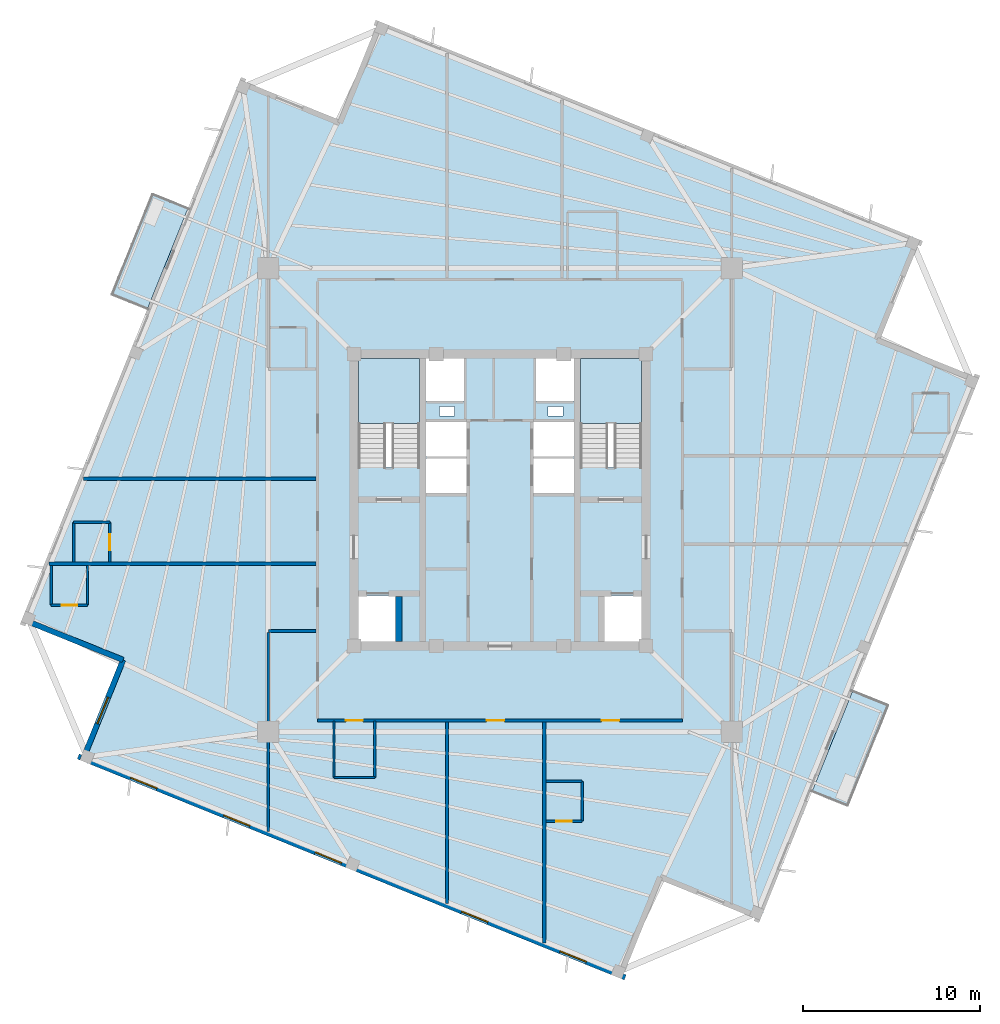
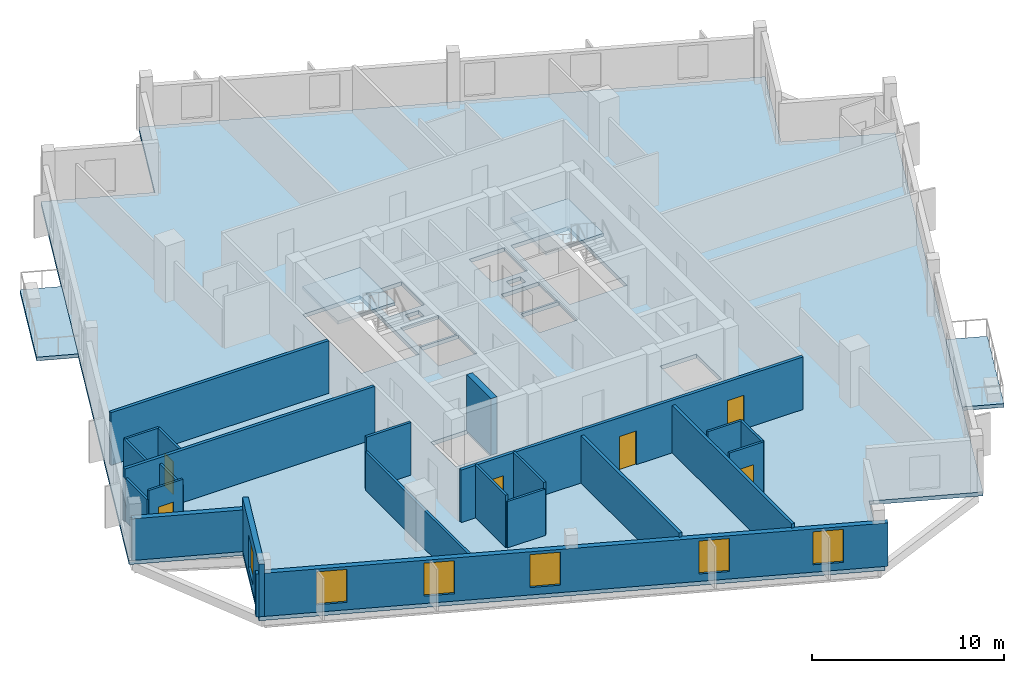
# One storey, part 2 of 8: 23 walls, 6 doors, 6 windows, 5 slabs, 12 openings, 2 elements without a shape of their own.
"""IFC4 building model written with IfcOpenShell, lengths in metres."""

from ifc_helpers import new_model, si_unit, direction, frame, frame_2d, origin, place, context, subcontext, project, spatial, polyline, rectangle, outline, extrude, source, transform, mapped, material, layer, layer_set, type_object, element, fill, aggregate, save


model = new_model("IFC4")

# Units and contexts
model_context = context("Model", 3, precision=1e-05, world=origin(), true_north=direction((0.0, 1.0)))
body_context = subcontext(model_context, "Body", "Model", "MODEL_VIEW")
ifc_project = project(units=[si_unit("LENGTHUNIT", "METRE"), si_unit("AREAUNIT", "SQUARE_METRE"), si_unit("VOLUMEUNIT", "CUBIC_METRE"), si_unit("PLANEANGLEUNIT", "RADIAN"), si_unit("MASSUNIT", "GRAM", prefix="KILO"), si_unit("THERMODYNAMICTEMPERATUREUNIT", "KELVIN")], contexts=[model_context])

# Site, building, storey
site_placement = place(None, origin())
site = spatial("IfcSite", under=ifc_project, at=site_placement, CompositionType="ELEMENT")
building_placement = place(site_placement, origin())
building = spatial("IfcBuilding", under=site, at=building_placement, Name="Kosmvard Interchange Tower", CompositionType="ELEMENT")
storey_placement = place(building_placement, frame((0.0, 0.0, 304.800048828125)))
storey = spatial("IfcBuildingStorey", under=building, at=storey_placement, Name="L75", CompositionType="ELEMENT", Elevation=304.800048828125)

# Slab
ifc_material_1 = material(Name="Concrete C50/60", Category="concrete")
ifc_layer_1 = layer(ifc_material_1, 0.25, Name="Concrete C50/60")
ifc_layer_set_1 = layer_set([ifc_layer_1], Name="Concrete C50/60")
slab_type_1 = type_object("IfcSlabType", Name="Hotel Acoustic Floor Slab 250 C50/60", PredefinedType="FLOOR", material=ifc_layer_set_1)
slab_1_placement = place(storey_placement, frame((0.0, 0.0, -0.25)))
element("IfcSlab", 1, at=slab_1_placement, inside=storey, type_object=slab_type_1, Name="L75 Structural Floor Slab", PredefinedType="FLOOR", context=body_context, shape_type="SweptSolid", body=[
    extrude(outline(polyline([(14.6806640625, -23.727294921875), (27.042724609375, 6.869873046875), (21.4794921875, 9.117431640625), (23.727294921875, 14.6806640625), (-6.869873046875, 27.042724609375), (-9.117431640625, 21.4794921875), (-14.6806640625, 23.727294921875), (-27.042724609375, -6.869873046875), (-21.4794921875, -9.117431640625), (-23.727294921875, -14.6806640625), (6.869873046875, -27.042724609375), (9.117431640625, -21.4794921875), (14.6806640625, -23.727294921875)]), holes=[polyline([(-8.0, 1.8349609375), (-4.5400390625, 1.8349609375), (-4.5400390625, 8.0), (-8.0, 8.0), (-8.0, 1.8349609375)]), polyline([(4.5400390625, 1.8349609375), (8.0, 1.8349609375), (8.0, 8.0), (4.5400390625, 8.0), (4.5400390625, 1.8349609375)]), polyline([(-8.0, -8.0), (-5.800048828125, -8.0), (-5.800048828125, -5.39990234375), (-8.0, -5.39990234375), (-8.0, -8.0)]), polyline([(5.800048828125, -8.0), (8.0, -8.0), (8.0, -5.39990234375), (5.800048828125, -5.39990234375), (5.800048828125, -8.0)]), polyline([(-4.179931640625, 0.39990234375), (-1.8798828125, 0.39990234375), (-1.8798828125, 2.340087890625), (-4.179931640625, 2.340087890625), (-4.179931640625, 0.39990234375)]), polyline([(-4.179931640625, 2.4599609375), (-1.8798828125, 2.4599609375), (-1.8798828125, 4.39990234375), (-4.179931640625, 4.39990234375), (-4.179931640625, 2.4599609375)]), polyline([(1.8798828125, 0.39990234375), (4.179931640625, 0.39990234375), (4.179931640625, 2.340087890625), (1.8798828125, 2.340087890625), (1.8798828125, 0.39990234375)]), polyline([(1.8798828125, 2.4599609375), (4.179931640625, 2.4599609375), (4.179931640625, 4.39990234375), (1.8798828125, 4.39990234375), (1.8798828125, 2.4599609375)]), polyline([(-4.179931640625, 5.60009765625), (-2.0400390625, 5.60009765625), (-2.0400390625, 8.0), (-4.179931640625, 8.0), (-4.179931640625, 5.60009765625)]), polyline([(2.0400390625, 5.60009765625), (4.179931640625, 5.60009765625), (4.179931640625, 8.0), (2.0400390625, 8.0), (2.0400390625, 5.60009765625)]), polyline([(-3.4150390625, 4.739990234375), (-2.56494140625, 4.739990234375), (-2.56494140625, 5.2900390625), (-3.4150390625, 5.2900390625), (-3.4150390625, 4.739990234375)]), polyline([(2.715087890625, 4.739990234375), (3.56494140625, 4.739990234375), (3.56494140625, 5.2900390625), (2.715087890625, 5.2900390625), (2.715087890625, 4.739990234375)])]), origin(), (0.0, 0.0, 1.0), 0.25),
])

# Stair, slab
stair_type = type_object("IfcStairType", Name="Dog-Leg Core Exit Stair H3600 C50/60", PredefinedType="HALF_TURN_STAIR", material=ifc_material_1)
stair_1_placement = place(storey_placement, origin())
stair_1 = element("IfcStair", 2, at=stair_1_placement, inside=storey, type_object=stair_type, Name="L75 Protected Exit Stair ST-1", PredefinedType="HALF_TURN_STAIR")
ifc_layer_2 = layer(ifc_material_1, 0.199951171875, Name="Concrete C50/60")
ifc_layer_set_2 = layer_set([ifc_layer_2], Name="Concrete C50/60")
slab_type_2 = type_object("IfcSlabType", Name="Stair Half-Landing Slab 200 C50/60", PredefinedType="LANDING", material=ifc_layer_set_2)
slab_2_placement = place(storey_placement, frame((0.0, 0.0, 1.599853515625)))
slab_2 = element("IfcSlab", 3, at=slab_2_placement, type_object=slab_type_2, Name="ST-1 landing 1", PredefinedType="LANDING", context=body_context, shape_type="SweptSolid", body=[
    extrude(outline(polyline([(-4.5400390625, 4.320068359375), (-4.5400390625, 8.0), (-8.0, 8.0), (-8.0, 4.320068359375), (-4.5400390625, 4.320068359375)])), origin(), (0.0, 0.0, 1.0), 0.2001953125),
])
aggregate(stair_1, [slab_2])

stair_2_placement = place(storey_placement, origin())
stair_2 = element("IfcStair", 4, at=stair_2_placement, inside=storey, type_object=stair_type, Name="L75 Protected Exit Stair ST-2", PredefinedType="HALF_TURN_STAIR")
slab_3_placement = place(storey_placement, frame((0.0, 0.0, 1.599853515625)))
slab_3 = element("IfcSlab", 5, at=slab_3_placement, type_object=slab_type_2, Name="ST-2 landing 1", PredefinedType="LANDING", context=body_context, shape_type="SweptSolid", body=[
    extrude(outline(polyline([(8.0, 4.320068359375), (8.0, 8.0), (4.5400390625, 8.0), (4.5400390625, 4.320068359375), (8.0, 4.320068359375)])), origin(), (0.0, 0.0, 1.0), 0.2001953125),
])
aggregate(stair_2, [slab_3])

# Slabs
ifc_layer_3 = layer(ifc_material_1, 0.22998046875, Name="Concrete C50/60")
ifc_layer_set_3 = layer_set([ifc_layer_3], Name="Concrete C50/60")
slab_type_3 = type_object("IfcSlabType", Name="Tree-Planter Cantilever Balcony Slab 230 C50/60", PredefinedType="FLOOR", material=ifc_layer_set_3)
slab_4_placement = place(storey_placement, frame((0.0, 0.0, -0.22998046875)))
element("IfcSlab", 6, at=slab_4_placement, inside=storey, type_object=slab_type_3, Name="L75 Outdoor Terrace Balcony Slab BAL-L75-N", PredefinedType="FLOOR", context=body_context, shape_type="SweptSolid", body=[
    extrude(outline(polyline([(-19.925048828125, 10.74658203125), (-17.6025390625, 16.4951171875), (-19.642333984375, 17.3193359375), (-21.96484375, 11.57080078125), (-19.925048828125, 10.74658203125)])), origin(), (0.0, 0.0, 1.0), 0.22998046875),
])
slab_5_placement = place(storey_placement, frame((0.0, 0.0, -0.22998046875)))
element("IfcSlab", 7, at=slab_5_placement, inside=storey, type_object=slab_type_3, Name="L75 Outdoor Terrace Balcony Slab BAL-L75-S", PredefinedType="FLOOR", context=body_context, shape_type="SweptSolid", body=[
    extrude(outline(polyline([(19.642333984375, -17.3193359375), (21.96484375, -11.57080078125), (19.925048828125, -10.74658203125), (17.6025390625, -16.4951171875), (19.642333984375, -17.3193359375)])), origin(), (0.0, 0.0, 1.0), 0.22998046875),
])

# Walls
ifc_material_2 = material(Name="Acoustic gypsum partition system")
ifc_layer_4 = layer(ifc_material_2, 0.14990234375, Name="Acoustic gypsum partition system")
ifc_layer_set_4 = layer_set([ifc_layer_4], Name="Acoustic gypsum partition system")
wall_type_1 = type_object("IfcWallType", Name="Acoustic Suite & Meeting Partition 150", PredefinedType="PARTITIONING", material=ifc_layer_set_4)
wall_1_placement = place(storey_placement, frame((-10.39501953125, -7.39990234375, 0.0), z_axis=(0.0, 0.0, 1.0), x_axis=(-1.0, 0.0, 0.0)))
element("IfcWall", 8, at=wall_1_placement, inside=storey, type_object=wall_type_1, Name="L75 Room Partition 15.1", PredefinedType="PARTITIONING", context=body_context, shape_type="SweptSolid", body=[
    extrude(rectangle(XDim=2.68603515625, YDim=0.14990234375, at=frame_2d((1.343017578125, 0.0))), origin(), (0.0, 0.0, 1.0), 3.349853515625),
])
wall_2_placement = place(storey_placement, frame((-13.0810546875, -7.47509765625, 0.0), z_axis=(0.0, 0.0, 1.0), x_axis=(0.0, -1.0, 0.0)))
element("IfcWall", 9, at=wall_2_placement, inside=storey, type_object=wall_type_1, Name="L75 Room Partition 16.1", PredefinedType="PARTITIONING", context=body_context, shape_type="SweptSolid", body=[
    extrude(rectangle(XDim=11.24267578125, YDim=0.14990234375, at=frame_2d((5.621337890625, 0.0))), origin(), (0.0, 0.0, 1.0), 2.449951171875),
])

# Wall, openings, doors
ifc_material_3 = material(Name="Fire-rated gypsum partition system")
ifc_layer_5 = layer(ifc_material_3, 0.179931640625, Name="Fire-rated gypsum partition system")
ifc_layer_set_5 = layer_set([ifc_layer_5], Name="Fire-rated gypsum partition system")
wall_type_2 = type_object("IfcWallType", Name="Corridor & Hotel Compartment Partition 180", PredefinedType="PARTITIONING", material=ifc_layer_set_5)
wall_3_placement = place(storey_placement, frame((-10.300048828125, -12.449951171875, 0.0), z_axis=(0.0, 0.0, 1.0), x_axis=(1.0, 0.0, 0.0)))
wall_3 = element("IfcWall", 10, at=wall_3_placement, inside=storey, type_object=wall_type_2, Name="L75 Corridor Wall CS", PredefinedType="PARTITIONING", context=body_context, shape_type="SweptSolid", body=[
    extrude(rectangle(XDim=20.60009765625, YDim=0.179931640625, at=frame_2d((10.300048828125, 0.0))), origin(), (0.0, 0.0, 1.0), 3.349853515625),
])
opening_1_placement = place(wall_3_placement, frame((1.60498046875, 0.0, 0.0)))
opening_1 = element("IfcOpeningElement", 11, at=opening_1_placement, cuts=wall_3, Name="Opening L75-D01", PredefinedType="OPENING", context=body_context, shape_type="SweptSolid", body=[
    extrude(rectangle(XDim=0.949951171875, YDim=2.10009765625, at=frame_2d((0.47509765625, 1.050048828125))), frame((0.0, 0.10009765625, 0.0), z_axis=(0.0, -1.0, 0.0), x_axis=(1.0, 0.0, 0.0)), (0.0, 0.0, 1.0), 0.199951171875),
])
opening_2_placement = place(wall_3_placement, frame((16.03564453125, 0.0, 0.0)))
opening_2 = element("IfcOpeningElement", 12, at=opening_2_placement, cuts=wall_3, Name="Opening L75-D12", PredefinedType="OPENING", context=body_context, shape_type="SweptSolid", body=[
    extrude(rectangle(XDim=1.0, YDim=2.14990234375, at=frame_2d((0.5, 1.074951171875))), frame((0.0, 0.10009765625, 0.0), z_axis=(0.0, -1.0, 0.0), x_axis=(1.0, 0.0, 0.0)), (0.0, 0.0, 1.0), 0.199951171875),
])
opening_3_placement = place(wall_3_placement, frame((9.550048828125, 0.0, 0.0)))
opening_3 = element("IfcOpeningElement", 13, at=opening_3_placement, cuts=wall_3, Name="Opening L75-D14", PredefinedType="OPENING", context=body_context, shape_type="SweptSolid", body=[
    extrude(rectangle(XDim=1.0, YDim=2.14990234375, at=frame_2d((0.5, 1.074951171875))), frame((0.0, 0.10009765625, 0.0), z_axis=(0.0, -1.0, 0.0), x_axis=(1.0, 0.0, 0.0)), (0.0, 0.0, 1.0), 0.199951171875),
])
ifc_material_4 = material(Name="Laminated moisture-resistant timber", Category="wood")
door_type_1 = type_object("IfcDoorType", Name="Accessible Washroom Door 950x2100", OperationType="NOTDEFINED", PredefinedType="DOOR", material=ifc_material_4)
shared_shape_1 = source(origin(), body_context, "Body", "SweptSolid", [
    extrude(rectangle(XDim=0.949951171875, YDim=2.10009765625, at=frame_2d((0.47509765625, 1.050048828125))), frame((0.0, 0.02490234375, 0.0), z_axis=(0.0, -1.0, 0.0), x_axis=(1.0, 0.0, 0.0)), (0.0, 0.0, 1.0), 0.050048828125),
])
door_1_placement = place(opening_1_placement, frame((0.949951171875, 0.0, 0.0), z_axis=(0.0, 0.0, 1.0), x_axis=(-1.0, 0.0, 0.0)))
door_1 = element("IfcDoor", 14, at=door_1_placement, inside=storey, type_object=door_type_1, Name="L75 Accessible Guest Toilet Door", OperationType="SINGLE_SWING_LEFT", OverallHeight=2.10009765625, OverallWidth=0.949951171875, PredefinedType="DOOR", context=body_context, shape_type="MappedRepresentation", body=[
    mapped(shared_shape_1, transform((0.0, 0.0, 0.0), scale=1.0)),
])
fill(opening_1, door_1)
ifc_material_5 = material(Name="Engineered oak fire-rated timber", Category="wood")
door_type_2 = type_object("IfcDoorType", Name="Hotel Guestroom Entrance Door 1000x2150 EI60", OperationType="NOTDEFINED", PredefinedType="DOOR", material=ifc_material_5)
shared_shape_2 = source(origin(), body_context, "Body", "SweptSolid", [
    extrude(rectangle(XDim=1.0, YDim=2.14990234375, at=frame_2d((0.5, 1.074951171875))), frame((0.0, 0.02490234375, 0.0), z_axis=(0.0, -1.0, 0.0), x_axis=(1.0, 0.0, 0.0)), (0.0, 0.0, 1.0), 0.050048828125),
])
door_2_placement = place(opening_2_placement, frame((1.0, 0.0, 0.0), z_axis=(0.0, 0.0, 1.0), x_axis=(-1.0, 0.0, 0.0)))
door_2 = element("IfcDoor", 15, at=door_2_placement, inside=storey, type_object=door_type_2, Name="L75 Hotel Ambassador Suite 3 Door", OperationType="SINGLE_SWING_RIGHT", OverallHeight=2.14990234375, OverallWidth=1.0, PredefinedType="DOOR", context=body_context, shape_type="MappedRepresentation", body=[
    mapped(shared_shape_2, transform((0.0, 0.0, 0.0), scale=1.0)),
])
fill(opening_2, door_2)
door_3_placement = place(opening_3_placement, frame((1.0, 0.0, 0.0), z_axis=(0.0, 0.0, 1.0), x_axis=(-1.0, 0.0, 0.0)))
door_3 = element("IfcDoor", 16, at=door_3_placement, inside=storey, type_object=door_type_2, Name="L75 Housekeeping and Linen Room Door", OperationType="SINGLE_SWING_RIGHT", OverallHeight=2.14990234375, OverallWidth=1.0, PredefinedType="DOOR", context=body_context, shape_type="MappedRepresentation", body=[
    mapped(shared_shape_2, transform((0.0, 0.0, 0.0), scale=1.0)),
])
fill(opening_3, door_3)

# Walls
wall_4_placement = place(storey_placement, frame((2.5, -12.544921875, 0.0), z_axis=(0.0, 0.0, 1.0), x_axis=(0.0, -1.0, 0.0)))
element("IfcWall", 17, at=wall_4_placement, inside=storey, type_object=wall_type_2, Name="L75 Room Partition 05.1", PredefinedType="PARTITIONING", context=body_context, shape_type="SweptSolid", body=[
    extrude(rectangle(XDim=12.468017578125, YDim=0.179931640625, at=frame_2d((6.23388671875, 0.0))), origin(), (0.0, 0.0, 1.0), 3.02001953125),
])
wall_5_placement = place(storey_placement, frame((-3.0, -12.544921875, 0.0), z_axis=(0.0, 0.0, 1.0), x_axis=(0.0, -1.0, 0.0)))
element("IfcWall", 18, at=wall_5_placement, inside=storey, type_object=wall_type_2, Name="L75 Room Partition 06.1", PredefinedType="PARTITIONING", context=body_context, shape_type="SweptSolid", body=[
    extrude(rectangle(XDim=10.245849609375, YDim=0.179931640625, at=frame_2d((5.123046875, 0.0))), origin(), (0.0, 0.0, 1.0), 3.02001953125),
])
wall_6_placement = place(storey_placement, frame((-10.39501953125, -3.60009765625, 0.0), z_axis=(0.0, 0.0, 1.0), x_axis=(-1.0, 0.0, 0.0)))
element("IfcWall", 19, at=wall_6_placement, inside=storey, type_object=wall_type_2, Name="L75 Room Partition 07.1", PredefinedType="PARTITIONING", context=body_context, shape_type="SweptSolid", body=[
    extrude(rectangle(XDim=15.062255859375, YDim=0.179931640625, at=frame_2d((7.53125, 0.0))), origin(), (0.0, 0.0, 1.0), 3.349853515625),
])
wall_7_placement = place(storey_placement, frame((-10.39501953125, 1.199951171875, 0.0), z_axis=(0.0, 0.0, 1.0), x_axis=(-1.0, 0.0, 0.0)))
element("IfcWall", 20, at=wall_7_placement, inside=storey, type_object=wall_type_2, Name="L75 Room Partition 08.1", PredefinedType="PARTITIONING", context=body_context, shape_type="SweptSolid", body=[
    extrude(rectangle(XDim=13.123046875, YDim=0.179931640625, at=frame_2d((6.5615234375, 0.0))), origin(), (0.0, 0.0, 1.0), 3.349853515625),
])
ifc_material_6 = material(Name="Concrete C60/75", Category="concrete")
ifc_layer_6 = layer(ifc_material_6, 0.360107421875, Name="Concrete C60/75")
ifc_layer_set_6 = layer_set([ifc_layer_6], Name="Concrete C60/75")
wall_type_3 = type_object("IfcWallType", Name="Stair & Lift Shaft Shear Wall 360 C60/75", PredefinedType="SHEAR", material=ifc_layer_set_6)
wall_8_placement = place(storey_placement, frame((-5.7099609375, -8.0, 0.0), z_axis=(0.0, 0.0, 1.0), x_axis=(0.0, 1.0, 0.0)))
element("IfcWall", 21, at=wall_8_placement, inside=storey, type_object=wall_type_3, Name="L75 Shaft Shear Wall SW-SM1", PredefinedType="SHEAR", context=body_context, shape_type="SweptSolid", body=[
    extrude(rectangle(XDim=2.5400390625, YDim=0.360107421875, at=frame_2d((1.27001953125, 0.0))), origin(), (0.0, 0.0, 1.0), 3.599853515625),
])
ifc_material_7 = material(Name="Precast concrete C45/55", Category="concrete")
ifc_layer_7 = layer(ifc_material_7, 0.31005859375, Name="Precast concrete C45/55")
ifc_layer_set_7 = layer_set([ifc_layer_7], Name="Precast concrete C45/55")
wall_type_4 = type_object("IfcWallType", Name="Upper Tower Precast Pier Wall 310 C45/55", PredefinedType="STANDARD", material=ifc_layer_set_7)
wall_9_placement = place(storey_placement, frame((-26.8408203125, -6.7841796875, 0.0), z_axis=(0.0, 0.0, 1.0), x_axis=(0.927171722085, -0.374636620962, 0.0)))
element("IfcWall", 22, at=wall_9_placement, inside=storey, type_object=wall_type_4, Name="L75 Precast Facade Wall N-NW1", PredefinedType="STANDARD", context=body_context, shape_type="SweptSolid", body=[
    extrude(rectangle(XDim=6.0, YDim=0.31005859375, at=frame_2d((3.0, 0.0))), origin(), (0.0, 0.0, 1.0), 2.64990234375),
])

# Wall, opening, window
wall_10_placement = place(storey_placement, frame((-21.27783203125, -9.031982421875, 0.0), z_axis=(0.0, 0.0, 1.0), x_axis=(-0.374602739196, -0.927185411764, 0.0)))
wall_10 = element("IfcWall", 23, at=wall_10_placement, inside=storey, type_object=wall_type_4, Name="L75 Precast Facade Wall N-NW2", PredefinedType="STANDARD", context=body_context, shape_type="SweptSolid", body=[
    extrude(rectangle(XDim=6.155029296875, YDim=0.31005859375, at=frame_2d((3.07763671875, 0.0))), origin(), (0.0, 0.0, 1.0), 3.349853515625),
])
opening_4_placement = place(wall_10_placement, frame((2.277587890625, 0.0, 0.469970703125)))
opening_4 = element("IfcOpeningElement", 24, at=opening_4_placement, cuts=wall_10, Name="Opening L75-W23", PredefinedType="OPENING", context=body_context, shape_type="SweptSolid", body=[
    extrude(rectangle(XDim=1.60009765625, YDim=2.10009765625, at=frame_2d((0.800048828125, 1.050048828125))), frame((0.0, 0.1650390625, 0.0), z_axis=(0.0, -1.0, 0.0), x_axis=(1.0, 0.0, 0.0)), (0.0, 0.0, 1.0), 0.330078125),
])
ifc_material_8 = material(Name="Low-E acoustic double glazing", Category="glass")
window_type = type_object("IfcWindowType", Name="Zone 5 Hotel Punched Window 1600x2100", PartitioningType="SINGLE_PANEL", PredefinedType="WINDOW", material=ifc_material_8)
shared_shape_3 = source(origin(), body_context, "Body", "SweptSolid", [
    extrude(rectangle(XDim=1.60009765625, YDim=2.10009765625, at=frame_2d((0.800048828125, 1.050048828125))), frame((0.0, 0.030029296875, 0.0), z_axis=(0.0, -1.0, 0.0), x_axis=(1.0, 0.0, 0.0)), (0.0, 0.0, 1.0), 0.06005859375),
])
window_1_placement = place(opening_4_placement, origin())
window_1 = element("IfcWindow", 25, at=window_1_placement, inside=storey, type_object=window_type, Name="L75 Corner Notch Window 23", OverallHeight=2.10009765625, OverallWidth=1.60009765625, PartitioningType="SINGLE_PANEL", PredefinedType="WINDOW", context=body_context, shape_type="MappedRepresentation", body=[
    mapped(shared_shape_3, transform((0.0, 0.0, 0.0), scale=1.0)),
])
fill(opening_4, window_1)

# Wall, openings, windows
wall_11_placement = place(storey_placement, frame((-23.812744140625, -14.478759765625, 0.0), z_axis=(0.0, 0.0, 1.0), x_axis=(0.927182657188, -0.374609557019, 0.0)))
wall_11 = element("IfcWall", 26, at=wall_11_placement, inside=storey, type_object=wall_type_4, Name="L75 Precast Facade Wall F-W", PredefinedType="STANDARD", context=body_context, shape_type="SweptSolid", body=[
    extrude(rectangle(XDim=33.31005859375, YDim=0.31005859375, at=frame_2d((16.655029296875, 0.0))), origin(), (0.0, 0.0, 1.0), 2.75),
])
opening_5_placement = place(wall_11_placement, frame((3.197265625, 0.0, 0.469970703125)))
opening_5 = element("IfcOpeningElement", 27, at=opening_5_placement, cuts=wall_11, Name="Opening L75-W16", PredefinedType="OPENING", context=body_context, shape_type="SweptSolid", body=[
    extrude(rectangle(XDim=1.60009765625, YDim=2.10009765625, at=frame_2d((0.800048828125, 1.050048828125))), frame((0.0, 0.1650390625, 0.0), z_axis=(0.0, -1.0, 0.0), x_axis=(1.0, 0.0, 0.0)), (0.0, 0.0, 1.0), 0.330078125),
])
opening_6_placement = place(wall_11_placement, frame((8.85986328125, 0.0, 0.469970703125)))
opening_6 = element("IfcOpeningElement", 28, at=opening_6_placement, cuts=wall_11, Name="Opening L75-W17", PredefinedType="OPENING", context=body_context, shape_type="SweptSolid", body=[
    extrude(rectangle(XDim=1.60009765625, YDim=2.10009765625, at=frame_2d((0.800048828125, 1.050048828125))), frame((0.0, 0.1650390625, 0.0), z_axis=(0.0, -1.0, 0.0), x_axis=(1.0, 0.0, 0.0)), (0.0, 0.0, 1.0), 0.330078125),
])
opening_7_placement = place(wall_11_placement, frame((14.438720703125, 0.0, 0.469970703125)))
opening_7 = element("IfcOpeningElement", 29, at=opening_7_placement, cuts=wall_11, Name="Opening L75-W18", PredefinedType="OPENING", context=body_context, shape_type="SweptSolid", body=[
    extrude(rectangle(XDim=1.60009765625, YDim=2.10009765625, at=frame_2d((0.800048828125, 1.050048828125))), frame((0.0, 0.1650390625, 0.0), z_axis=(0.0, -1.0, 0.0), x_axis=(1.0, 0.0, 0.0)), (0.0, 0.0, 1.0), 0.330078125),
])
opening_8_placement = place(wall_11_placement, frame((23.350830078125, 0.0, 0.469970703125)))
opening_8 = element("IfcOpeningElement", 30, at=opening_8_placement, cuts=wall_11, Name="Opening L75-W19", PredefinedType="OPENING", context=body_context, shape_type="SweptSolid", body=[
    extrude(rectangle(XDim=1.60009765625, YDim=2.10009765625, at=frame_2d((0.800048828125, 1.050048828125))), frame((0.0, 0.1650390625, 0.0), z_axis=(0.0, -1.0, 0.0), x_axis=(1.0, 0.0, 0.0)), (0.0, 0.0, 1.0), 0.330078125),
])
opening_9_placement = place(wall_11_placement, frame((29.3466796875, 0.0, 0.469970703125)))
opening_9 = element("IfcOpeningElement", 31, at=opening_9_placement, cuts=wall_11, Name="Opening L75-W20", PredefinedType="OPENING", context=body_context, shape_type="SweptSolid", body=[
    extrude(rectangle(XDim=1.60009765625, YDim=2.10009765625, at=frame_2d((0.800048828125, 1.050048828125))), frame((0.0, 0.1650390625, 0.0), z_axis=(0.0, -1.0, 0.0), x_axis=(1.0, 0.0, 0.0)), (0.0, 0.0, 1.0), 0.330078125),
])
window_2_placement = place(opening_5_placement, origin())
window_2 = element("IfcWindow", 32, at=window_2_placement, inside=storey, type_object=window_type, Name="L75 Facade Punched Window 16", OverallHeight=2.10009765625, OverallWidth=1.60009765625, PartitioningType="SINGLE_PANEL", PredefinedType="WINDOW", context=body_context, shape_type="MappedRepresentation", body=[
    mapped(shared_shape_3, transform((0.0, 0.0, 0.0), scale=1.0)),
])
fill(opening_5, window_2)
window_3_placement = place(opening_6_placement, origin())
window_3 = element("IfcWindow", 33, at=window_3_placement, inside=storey, type_object=window_type, Name="L75 Facade Punched Window 17", OverallHeight=2.10009765625, OverallWidth=1.60009765625, PartitioningType="SINGLE_PANEL", PredefinedType="WINDOW", context=body_context, shape_type="MappedRepresentation", body=[
    mapped(shared_shape_3, transform((0.0, 0.0, 0.0), scale=1.0)),
])
fill(opening_6, window_3)
window_4_placement = place(opening_7_placement, origin())
window_4 = element("IfcWindow", 34, at=window_4_placement, inside=storey, type_object=window_type, Name="L75 Facade Punched Window 18", OverallHeight=2.10009765625, OverallWidth=1.60009765625, PartitioningType="SINGLE_PANEL", PredefinedType="WINDOW", context=body_context, shape_type="MappedRepresentation", body=[
    mapped(shared_shape_3, transform((0.0, 0.0, 0.0), scale=1.0)),
])
fill(opening_7, window_4)
window_5_placement = place(opening_8_placement, origin())
window_5 = element("IfcWindow", 35, at=window_5_placement, inside=storey, type_object=window_type, Name="L75 Facade Punched Window 19", OverallHeight=2.10009765625, OverallWidth=1.60009765625, PartitioningType="SINGLE_PANEL", PredefinedType="WINDOW", context=body_context, shape_type="MappedRepresentation", body=[
    mapped(shared_shape_3, transform((0.0, 0.0, 0.0), scale=1.0)),
])
fill(opening_8, window_5)
window_6_placement = place(opening_9_placement, origin())
window_6 = element("IfcWindow", 36, at=window_6_placement, inside=storey, type_object=window_type, Name="L75 Facade Punched Window 20", OverallHeight=2.10009765625, OverallWidth=1.60009765625, PartitioningType="SINGLE_PANEL", PredefinedType="WINDOW", context=body_context, shape_type="MappedRepresentation", body=[
    mapped(shared_shape_3, transform((0.0, 0.0, 0.0), scale=1.0)),
])
fill(opening_9, window_6)

# Walls
ifc_material_9 = material(Name="Moisture-resistant gypsum partition")
ifc_layer_8 = layer(ifc_material_9, 0.135009765625, Name="Moisture-resistant gypsum partition")
ifc_layer_set_8 = layer_set([ifc_layer_8], Name="Moisture-resistant gypsum partition")
wall_type_5 = type_object("IfcWallType", Name="Wet Room Moisture-Resistant Partition 135", PredefinedType="PARTITIONING", material=ifc_layer_set_8)
wall_12_placement = place(storey_placement, frame((-9.3701171875, -15.669921875, 0.0), z_axis=(0.0, 0.0, 1.0), x_axis=(1.0, 0.0, 0.0)))
element("IfcWall", 37, at=wall_12_placement, inside=storey, type_object=wall_type_5, Name="L75 Washroom Partition HAWC-S", PredefinedType="PARTITIONING", context=body_context, shape_type="SweptSolid", body=[
    extrude(rectangle(XDim=2.300048828125, YDim=0.135009765625, at=frame_2d((1.14990234375, 0.0))), origin(), (0.0, 0.0, 1.0), 2.949951171875),
])
for number, where, z_axis, x_axis, name in (
    (38, (-7.070068359375, -15.669921875, 0.0), (0.0, 0.0, 1.0), (0.0, 1.0, 0.0), "L75 Washroom Partition HAWC-E"),
    (39, (-9.3701171875, -15.669921875, 0.0), (0.0, 0.0, 1.0), (0.0, 1.0, 0.0), "L75 Washroom Partition HAWC-W"),
):
    element("IfcWall", number, at=place(storey_placement, frame(where, z_axis=z_axis, x_axis=x_axis)), inside=storey, type_object=wall_type_5, Name=name, PredefinedType="PARTITIONING", context=body_context, shape_type="SweptSolid", body=[
        extrude(rectangle(XDim=3.199951171875, YDim=0.135009765625, at=frame_2d((1.60009765625, 0.0))), origin(), (0.0, 0.0, 1.0), 3.349853515625),
    ])

# Wall, opening, door
wall_13_placement = place(storey_placement, frame((2.590087890625, -18.1357421875, 0.0), z_axis=(0.0, 0.0, 1.0), x_axis=(1.0, 0.0, 0.0)))
wall_13 = element("IfcWall", 40, at=wall_13_placement, inside=storey, type_object=wall_type_5, Name="L75 En-Suite Partition HPR3-S", PredefinedType="PARTITIONING", context=body_context, shape_type="SweptSolid", body=[
    extrude(rectangle(XDim=2.0498046875, YDim=0.135009765625, at=frame_2d((1.02490234375, 0.0))), origin(), (0.0, 0.0, 1.0), 3.349853515625),
])
opening_10_placement = place(wall_13_placement, frame((0.5849609375, 0.0, 0.0)))
opening_10 = element("IfcOpeningElement", 41, at=opening_10_placement, cuts=wall_13, Name="Opening L75-ED13", PredefinedType="OPENING", context=body_context, shape_type="SweptSolid", body=[
    extrude(rectangle(XDim=0.8798828125, YDim=2.10009765625, at=frame_2d((0.43994140625, 1.050048828125))), frame((0.0, 0.07763671875, 0.0), z_axis=(0.0, -1.0, 0.0), x_axis=(1.0, 0.0, 0.0)), (0.0, 0.0, 1.0), 0.155029296875),
])
door_type_3 = type_object("IfcDoorType", Name="En-Suite & Washroom Door 880x2100", OperationType="NOTDEFINED", PredefinedType="DOOR", material=ifc_material_4)
shared_shape_4 = source(origin(), body_context, "Body", "SweptSolid", [
    extrude(rectangle(XDim=0.8798828125, YDim=2.10009765625, at=frame_2d((0.43994140625, 1.050048828125))), frame((0.0, 0.02490234375, 0.0), z_axis=(0.0, -1.0, 0.0), x_axis=(1.0, 0.0, 0.0)), (0.0, 0.0, 1.0), 0.050048828125),
])
door_4_placement = place(opening_10_placement, origin())
door_4 = element("IfcDoor", 42, at=door_4_placement, inside=storey, type_object=door_type_3, Name="L75 HPR3 En-Suite Door", OperationType="SINGLE_SWING_RIGHT", OverallHeight=2.10009765625, OverallWidth=0.8798828125, PredefinedType="DOOR", context=body_context, shape_type="MappedRepresentation", body=[
    mapped(shared_shape_4, transform((0.0, 0.0, 0.0), scale=1.0)),
])
fill(opening_10, door_4)

# Walls
wall_14_placement = place(storey_placement, frame((4.639892578125, -18.1357421875, 0.0), z_axis=(0.0, 0.0, 1.0), x_axis=(0.0, 1.0, 0.0)))
element("IfcWall", 43, at=wall_14_placement, inside=storey, type_object=wall_type_5, Name="L75 En-Suite Partition HPR3-E", PredefinedType="PARTITIONING", context=body_context, shape_type="SweptSolid", body=[
    extrude(rectangle(XDim=2.25, YDim=0.135009765625, at=frame_2d((1.125, 0.0))), origin(), (0.0, 0.0, 1.0), 3.349853515625),
])
wall_15_placement = place(storey_placement, frame((2.590087890625, -15.8857421875, 0.0), z_axis=(0.0, 0.0, 1.0), x_axis=(1.0, 0.0, 0.0)))
element("IfcWall", 44, at=wall_15_placement, inside=storey, type_object=wall_type_5, Name="L75 En-Suite Partition HPR3-N", PredefinedType="PARTITIONING", context=body_context, shape_type="SweptSolid", body=[
    extrude(rectangle(XDim=2.0498046875, YDim=0.135009765625, at=frame_2d((1.02490234375, 0.0))), origin(), (0.0, 0.0, 1.0), 3.349853515625),
])

# Wall, opening, door
wall_16_placement = place(storey_placement, frame((-25.341552734375, -5.93994140625, 0.0), z_axis=(0.0, 0.0, 1.0), x_axis=(1.0, 0.0, 0.0)))
wall_16 = element("IfcWall", 45, at=wall_16_placement, inside=storey, type_object=wall_type_5, Name="L75 En-Suite Partition HGR1-S", PredefinedType="PARTITIONING", context=body_context, shape_type="SweptSolid", body=[
    extrude(rectangle(XDim=2.050048828125, YDim=0.135009765625, at=frame_2d((1.02490234375, 0.0))), origin(), (0.0, 0.0, 1.0), 3.349853515625),
])
opening_11_placement = place(wall_16_placement, frame((0.5849609375, 0.0, 0.0)))
opening_11 = element("IfcOpeningElement", 46, at=opening_11_placement, cuts=wall_16, Name="Opening L75-ED17", PredefinedType="OPENING", context=body_context, shape_type="SweptSolid", body=[
    extrude(rectangle(XDim=0.8798828125, YDim=2.10009765625, at=frame_2d((0.43994140625, 1.050048828125))), frame((0.0, 0.07763671875, 0.0), z_axis=(0.0, -1.0, 0.0), x_axis=(1.0, 0.0, 0.0)), (0.0, 0.0, 1.0), 0.155029296875),
])
door_5_placement = place(opening_11_placement, origin())
door_5 = element("IfcDoor", 47, at=door_5_placement, inside=storey, type_object=door_type_3, Name="L75 HGR1 En-Suite Door", OperationType="SINGLE_SWING_RIGHT", OverallHeight=2.10009765625, OverallWidth=0.8798828125, PredefinedType="DOOR", context=body_context, shape_type="MappedRepresentation", body=[
    mapped(shared_shape_4, transform((0.0, 0.0, 0.0), scale=1.0)),
])
fill(opening_11, door_5)

# Walls
wall_17_placement = place(storey_placement, frame((-23.29150390625, -5.93994140625, 0.0), z_axis=(0.0, 0.0, 1.0), x_axis=(0.0, 1.0, 0.0)))
element("IfcWall", 48, at=wall_17_placement, inside=storey, type_object=wall_type_5, Name="L75 En-Suite Partition HGR1-E", PredefinedType="PARTITIONING", context=body_context, shape_type="SweptSolid", body=[
    extrude(rectangle(XDim=2.25, YDim=0.135009765625, at=frame_2d((1.125, 0.0))), origin(), (0.0, 0.0, 1.0), 2.949951171875),
])
wall_18_placement = place(storey_placement, frame((-25.341552734375, -5.93994140625, 0.0), z_axis=(0.0, 0.0, 1.0), x_axis=(0.0, 1.0, 0.0)))
element("IfcWall", 49, at=wall_18_placement, inside=storey, type_object=wall_type_5, Name="L75 En-Suite Partition HGR1-W", PredefinedType="PARTITIONING", context=body_context, shape_type="SweptSolid", body=[
    extrude(rectangle(XDim=2.25, YDim=0.135009765625, at=frame_2d((1.125, 0.0))), origin(), (0.0, 0.0, 1.0), 2.75),
])

# Wall, opening, door
wall_19_placement = place(storey_placement, frame((-22.02392578125, -3.510009765625, 0.0), z_axis=(0.0, 0.0, 1.0), x_axis=(0.0, 1.0, 0.0)))
wall_19 = element("IfcWall", 50, at=wall_19_placement, inside=storey, type_object=wall_type_5, Name="L75 En-Suite Partition HPR4-E", PredefinedType="PARTITIONING", context=body_context, shape_type="SweptSolid", body=[
    extrude(rectangle(XDim=2.25, YDim=0.135009765625, at=frame_2d((1.125, 0.0))), origin(), (0.0, 0.0, 1.0), 3.349853515625),
])
opening_12_placement = place(wall_19_placement, frame((0.68505859375, 0.0, 0.0)))
opening_12 = element("IfcOpeningElement", 51, at=opening_12_placement, cuts=wall_19, Name="Opening L75-ED19", PredefinedType="OPENING", context=body_context, shape_type="SweptSolid", body=[
    extrude(rectangle(XDim=0.8798828125, YDim=2.10009765625, at=frame_2d((0.43994140625, 1.050048828125))), frame((0.0, 0.07763671875, 0.0), z_axis=(0.0, -1.0, 0.0), x_axis=(1.0, 0.0, 0.0)), (0.0, 0.0, 1.0), 0.155029296875),
])
door_6_placement = place(opening_12_placement, origin())
door_6 = element("IfcDoor", 52, at=door_6_placement, inside=storey, type_object=door_type_3, Name="L75 HPR4 En-Suite Door", OperationType="SINGLE_SWING_RIGHT", OverallHeight=2.10009765625, OverallWidth=0.8798828125, PredefinedType="DOOR", context=body_context, shape_type="MappedRepresentation", body=[
    mapped(shared_shape_4, transform((0.0, 0.0, 0.0), scale=1.0)),
])
fill(opening_12, door_6)

# Walls
wall_20_placement = place(storey_placement, frame((-24.073974609375, -1.260009765625, 0.0), z_axis=(0.0, 0.0, 1.0), x_axis=(1.0, 0.0, 0.0)))
element("IfcWall", 53, at=wall_20_placement, inside=storey, type_object=wall_type_5, Name="L75 En-Suite Partition HPR4-N", PredefinedType="PARTITIONING", context=body_context, shape_type="SweptSolid", body=[
    extrude(rectangle(XDim=2.050048828125, YDim=0.135009765625, at=frame_2d((1.02490234375, 0.0))), origin(), (0.0, 0.0, 1.0), 3.349853515625),
])
wall_21_placement = place(storey_placement, frame((-24.073974609375, -3.510009765625, 0.0), z_axis=(0.0, 0.0, 1.0), x_axis=(0.0, 1.0, 0.0)))
element("IfcWall", 54, at=wall_21_placement, inside=storey, type_object=wall_type_5, Name="L75 En-Suite Partition HPR4-W", PredefinedType="PARTITIONING", context=body_context, shape_type="SweptSolid", body=[
    extrude(rectangle(XDim=2.25, YDim=0.135009765625, at=frame_2d((1.125, 0.0))), origin(), (0.0, 0.0, 1.0), 3.349853515625),
])

save(model, "model.ifc")
